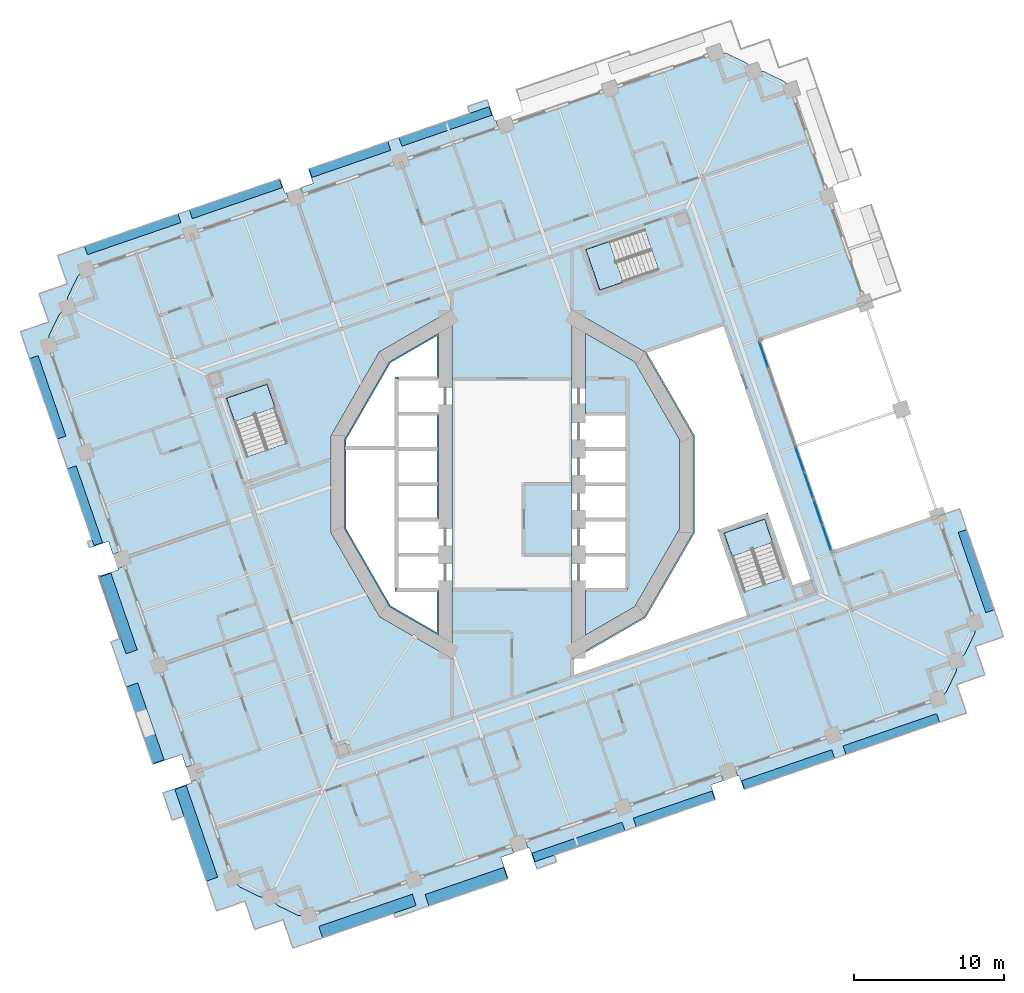
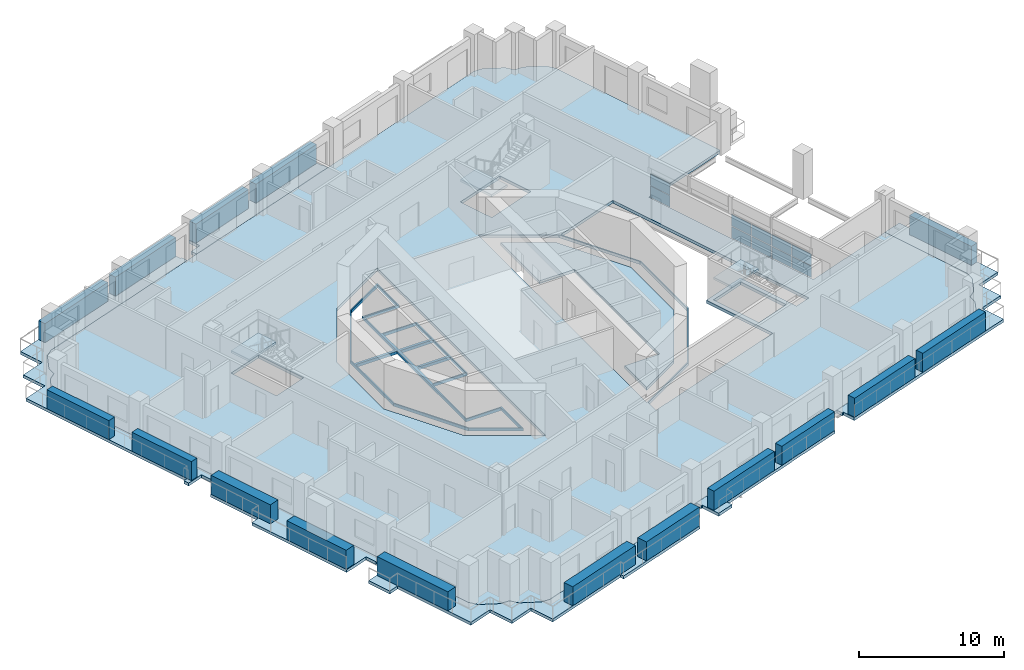
# One storey, part 6 of 21: 26 plates, 12 slabs, 4 elements without a shape of their own.
"""IFC4 building model written with IfcOpenShell, lengths in metres."""

import ifcopenshell
import ifcopenshell.guid

model = None  # the IFC model being written
_history = None  # IfcOwnerHistory: only IFC2X3 demands one
_inside = {}  # id of a spatial element -> (the spatial element, [elements in it])
_under = {}  # id of a project, library or spatial element -> (it, [spatial elements below it])
_declared = {}  # id of a project -> (the project, [libraries it declares])
_typed = {}  # id of a type object -> (the type object, [elements of that type])
_made_of = {}  # id of a material, layer set ... -> (it, [elements and type objects made of it])


def new_model(schema):
    """Start an empty IFC model of exactly this schema.

    Asked for "IFC4X3", IfcOpenShell would pick the latest addendum, in which some entities
    have other attributes; the version numbers below select the first issue.
    IFC2X3 requires an IfcOwnerHistory on every rooted entity: one is made here for all.
    """
    global model, _history
    if schema == "IFC4X3":
        model = ifcopenshell.file(schema_version=(4, 3, 0, 0))
    else:
        model = ifcopenshell.file(schema=schema)
    _inside.clear()
    _under.clear()
    _declared.clear()
    _typed.clear()
    _made_of.clear()
    _history = None
    if model.schema == "IFC2X3":
        org = make("IfcOrganization", Name="unknown")
        user = make(
            "IfcPersonAndOrganization",
            ThePerson=make("IfcPerson", FamilyName="unknown"),
            TheOrganization=org,
        )
        app = make(
            "IfcApplication",
            ApplicationDeveloper=org,
            Version="unknown",
            ApplicationFullName="unknown",
            ApplicationIdentifier="unknown",
        )
        _history = make(
            "IfcOwnerHistory",
            OwningUser=user,
            OwningApplication=app,
            ChangeAction="ADDED",
            CreationDate=0,
        )
    return model


def make(cls, **values):
    """One entity of the class cls with the attributes given. An attribute that is None is left unset."""
    return model.create_entity(
        cls, **{name: value for name, value in values.items() if value is not None}
    )


def rooted(cls, **values):
    """An entity with a GlobalId (a new one), such as an element, a storey or a relation."""
    return make(cls, GlobalId=ifcopenshell.guid.new(), OwnerHistory=_history, **values)


def si_unit(unit_type, name, prefix=None):
    """IfcSIUnit, for example si_unit("LENGTHUNIT", "METRE", prefix="MILLI")."""
    return make("IfcSIUnit", UnitType=unit_type, Prefix=prefix, Name=name)


def assignment(units):
    """IfcUnitAssignment: the units of a project."""
    return None if units is None else make("IfcUnitAssignment", Units=units)


def point(xyz):
    """IfcCartesianPoint."""
    return None if xyz is None else make("IfcCartesianPoint", Coordinates=xyz)


def direction(xyz):
    """IfcDirection."""
    return None if xyz is None else make("IfcDirection", DirectionRatios=xyz)


def frame(location, z_axis=None, x_axis=None):
    """IfcAxis2Placement3D, a coordinate frame: its origin and axes. An axis left out is left unset."""
    return make(
        "IfcAxis2Placement3D",
        Location=point(location),
        Axis=direction(z_axis),
        RefDirection=direction(x_axis),
    )


def frame_2d(location, x_axis=None):
    """IfcAxis2Placement2D, a coordinate frame in the plane: its origin and x axis."""
    return make(
        "IfcAxis2Placement2D", Location=point(location), RefDirection=direction(x_axis)
    )


def origin():
    """The frame at (0, 0, 0) with its axes left unset."""
    return frame((0.0, 0.0, 0.0))


def origin_2d():
    """The frame at (0, 0) in the plane with its x axis left unset."""
    return frame_2d((0.0, 0.0))


def place(relative_to, where):
    """IfcLocalPlacement: puts the frame where relative to a parent placement (None: the world)."""
    return make(
        "IfcLocalPlacement", PlacementRelTo=relative_to, RelativePlacement=where
    )


def context(
    kind, dimensions, precision=None, world=None, true_north=None, identifier=None
):
    """IfcGeometricRepresentationContext, for example the 3D "Model" context."""
    return make(
        "IfcGeometricRepresentationContext",
        ContextIdentifier=identifier,
        ContextType=kind,
        CoordinateSpaceDimension=dimensions,
        Precision=precision,
        WorldCoordinateSystem=world,
        TrueNorth=true_north,
    )


def subcontext(parent, identifier, kind, view, scale=None):
    """IfcGeometricRepresentationSubContext, for example "Body" below "Model"."""
    return make(
        "IfcGeometricRepresentationSubContext",
        ContextIdentifier=identifier,
        ContextType=kind,
        ParentContext=parent,
        TargetScale=scale,
        TargetView=view,
    )


def project(units=None, contexts=None):
    """IfcProject with its units and contexts."""
    return rooted(
        "IfcProject",
        Name="project",
        RepresentationContexts=contexts,
        UnitsInContext=assignment(units),
    )


def spatial(cls, under=None, at=None, **own):
    """A site, building, storey or space (cls), placed at a placement, below another one or the project."""
    s = rooted(cls, ObjectPlacement=at, **own)
    if under is not None:
        _under.setdefault(under.id(), (under, []))[1].append(s)
    return s


def polyline(points):
    """IfcPolyline through the points."""
    return make("IfcPolyline", Points=[point(p) for p in points])


def profile(cls, at=None, kind="AREA", **sizes):
    """A parametric profile (cls). Its sizes go by their IFC names, for example OverallWidth=200.0."""
    return make(cls, ProfileType=kind, Position=at, **sizes)


def rectangle(**sizes):
    """IfcRectangleProfileDef."""
    return profile("IfcRectangleProfileDef", **sizes)


def outline(outer, holes=None, kind="AREA"):
    """IfcArbitraryClosedProfileDef: a profile drawn as a closed curve; with holes, ...WithVoids."""
    if holes is None:
        return make("IfcArbitraryClosedProfileDef", ProfileType=kind, OuterCurve=outer)
    return make(
        "IfcArbitraryProfileDefWithVoids",
        ProfileType=kind,
        OuterCurve=outer,
        InnerCurves=holes,
    )


def extrude(swept, where, along, depth):
    """IfcExtrudedAreaSolid: the profile swept, set in the frame where, extruded along a direction by depth."""
    return make(
        "IfcExtrudedAreaSolid",
        SweptArea=swept,
        Position=where,
        ExtrudedDirection=direction(along),
        Depth=depth,
    )


def shape(context_of_items, identifier, shape_type, items):
    """IfcShapeRepresentation: the items that make up one representation, for example the "Body"."""
    return make(
        "IfcShapeRepresentation",
        ContextOfItems=context_of_items,
        RepresentationIdentifier=identifier,
        RepresentationType=shape_type,
        Items=items,
    )


def material(Name=None, Category=None):
    """IfcMaterial."""
    return make("IfcMaterial", Name=Name, Category=Category)


def layer(
    of_material, thickness, ventilated=None, Name=None, Category=None, Priority=None
):
    """IfcMaterialLayer: one layer of a wall or slab, of a material (None: an air gap)."""
    return make(
        "IfcMaterialLayer",
        Material=of_material,
        LayerThickness=thickness,
        IsVentilated=ventilated,
        Name=Name,
        Category=Category,
        Priority=Priority,
    )


def layer_set(layers, Name=None):
    """IfcMaterialLayerSet."""
    return make("IfcMaterialLayerSet", MaterialLayers=layers, LayerSetName=Name)


def made_of(thing, what):
    """Note that an element or type object is made of a material, layer set ...; save() writes the relation."""
    if what is not None:
        _made_of.setdefault(what.id(), (what, []))[1].append(thing)
    return thing


def type_object(cls, material=None, **own):
    """A type object (cls), such as IfcWallType, which elements share."""
    return made_of(rooted(cls, **own), material)


def element(
    cls,
    number,
    at=None,
    inside=None,
    cuts=None,
    type_object=None,
    material=None,
    context=None,
    identifier="Body",
    shape_type=None,
    held_by="IfcProductDefinitionShape",
    body=None,
    shapes=None,
    **own,
):
    """One element of the class cls, such as IfcWall. Its Tag is "e" and its number.

    at: its placement. inside: the storey or other place that contains it. cuts: it is an
    opening in that element (IfcRelVoidsElement). A single representation is given by context,
    identifier, shape_type and body (its items); several are given by shapes. held_by: the class
    of the entity that holds the representations. save() writes the other relations.
    """
    e = rooted(cls, Tag="e%d" % number, ObjectPlacement=at, **own)
    if body is not None:
        shapes = [shape(context, identifier, shape_type, body)]
    if shapes is not None:
        e.Representation = make(held_by, Representations=shapes)
    if inside is not None:
        _inside.setdefault(inside.id(), (inside, []))[1].append(e)
    if cuts is not None:
        rooted(
            "IfcRelVoidsElement", RelatingBuildingElement=cuts, RelatedOpeningElement=e
        )
    if type_object is not None:
        _typed.setdefault(type_object.id(), (type_object, []))[1].append(e)
    return made_of(e, material)


def aggregate(whole, parts):
    """IfcRelAggregates: a whole, such as a stair, and the parts it consists of."""
    return rooted("IfcRelAggregates", RelatingObject=whole, RelatedObjects=parts)


def save(model, path):
    """Write the relations noted so far, then the file.

    IfcRelAggregates (storeys below a building ...), IfcRelContainedInSpatialStructure (elements
    in a storey), IfcRelDefinesByType, IfcRelAssociatesMaterial and IfcRelDeclares: one each for
    every whole, place, type object, material and project.
    """
    for whole, parts in _under.values():
        aggregate(whole, parts)
    for where, things in _inside.values():
        rooted(
            "IfcRelContainedInSpatialStructure",
            RelatedElements=things,
            RelatingStructure=where,
        )
    for kind, things in _typed.values():
        rooted("IfcRelDefinesByType", RelatedObjects=things, RelatingType=kind)
    for what, things in _made_of.values():
        rooted("IfcRelAssociatesMaterial", RelatedObjects=things, RelatingMaterial=what)
    for by, libraries in _declared.values():
        rooted("IfcRelDeclares", RelatingContext=by, RelatedDefinitions=libraries)
    model.write(path)


model = new_model("IFC4")

# Units and contexts
model_context = context("Model", 3, precision=1e-05, world=origin(), true_north=direction((0.0, 1.0)))
body_context = subcontext(model_context, "Body", "Model", "MODEL_VIEW")
ifc_project = project(units=[si_unit("LENGTHUNIT", "METRE"), si_unit("AREAUNIT", "SQUARE_METRE"), si_unit("VOLUMEUNIT", "CUBIC_METRE"), si_unit("PLANEANGLEUNIT", "RADIAN"), si_unit("MASSUNIT", "GRAM", prefix="KILO")], contexts=[model_context])

# Site, building, storey
site_placement = place(None, origin())
site = spatial("IfcSite", under=ifc_project, at=site_placement, CompositionType="ELEMENT")
building_placement = place(site_placement, origin())
building = spatial("IfcBuilding", under=site, at=building_placement, Name="Cantera Rosa Tower", CompositionType="ELEMENT")
storey_placement = place(building_placement, frame((0.0, 0.0, 119.300048828125)))
storey = spatial("IfcBuildingStorey", under=building, at=storey_placement, Name="L24", CompositionType="ELEMENT", Elevation=119.300048828125)

# Slabs
ifc_material_1 = material(Name="Concrete C35/45", Category="concrete")
ifc_layer_1 = layer(ifc_material_1, 0.25)
ifc_layer_set_1 = layer_set([ifc_layer_1], Name="COMPOSITE FLOOR SLAB 250 C35/45")
slab_type_1 = type_object("IfcSlabType", Name="COMPOSITE FLOOR SLAB 250 C35/45", PredefinedType="FLOOR", material=ifc_layer_set_1)
slab_1_placement = place(storey_placement, frame((0.0, 0.0, -0.25)))
element("IfcSlab", 1, at=slab_1_placement, inside=storey, type_object=slab_type_1, Name="SLAB L24 floor 1", PredefinedType="FLOOR", context=body_context, shape_type="SweptSolid", body=[
    extrude(outline(polyline([(-7.699951171875, -4.699951171875), (-7.699951171875, -7.050048828125), (-4.89990234375, -7.050048828125), (-4.89990234375, -10.07373046875), (-8.179931640625, -8.179931640625), (-11.174072265625, -2.994140625), (-11.174072265625, 2.994140625), (-8.179931640625, 8.179931640625), (-4.89990234375, 10.07373046875), (-4.89990234375, 7.050048828125), (-7.699951171875, 7.050048828125), (-7.699951171875, 4.699951171875), (-4.89990234375, 4.699951171875), (-4.89990234375, -2.35009765625), (-7.699951171875, -2.35009765625), (-7.699951171875, -4.699951171875)]), holes=[polyline([(-5.0, -9.900390625), (-5.0, -7.14990234375), (-7.800048828125, -7.14990234375), (-7.800048828125, -2.449951171875), (-7.800048828125, -2.25), (-7.800048828125, 2.25), (-7.800048828125, 2.317626953125), (-11.07421875, 2.317626953125), (-11.07421875, -2.96728515625), (-8.106689453125, -8.106689453125), (-5.0, -9.900390625)]), polyline([(-7.60009765625, -0.10009765625), (-7.60009765625, -2.25), (-5.0, -2.25), (-5.0, -0.10009765625), (-7.60009765625, -0.10009765625)]), polyline([(-7.60009765625, 0.10009765625), (-5.0, 0.10009765625), (-5.0, 2.25), (-7.60009765625, 2.25), (-7.60009765625, 0.10009765625)]), polyline([(-7.60009765625, 2.449951171875), (-5.0, 2.449951171875), (-5.0, 4.60009765625), (-7.60009765625, 4.60009765625), (-7.60009765625, 2.449951171875)]), polyline([(-11.07421875, 2.517578125), (-7.800048828125, 2.517578125), (-7.800048828125, 7.14990234375), (-5.0, 7.14990234375), (-5.0, 9.900390625), (-8.106689453125, 8.106689453125), (-11.07421875, 2.96728515625), (-11.07421875, 2.517578125)])]), origin(), (0.0, 0.0, 1.0), 0.25),
])
slab_2_placement = place(storey_placement, frame((0.0, 0.0, -0.25)))
element("IfcSlab", 2, at=slab_2_placement, inside=storey, type_object=slab_type_1, Name="SLAB L24 floor 2", PredefinedType="FLOOR", context=body_context, shape_type="SweptSolid", body=[
    extrude(outline(polyline([(-14.334716796875, -28.7451171875), (-15.605712890625, -28.125), (-15.631591796875, -28.111083984375), (-15.65576171875, -28.09423828125), (-15.67822265625, -28.075439453125), (-15.698974609375, -28.05419921875), (-16.109619140625, -27.54541015625), (-16.763671875, -27.534912109375), (-16.79296875, -27.53173828125), (-16.82177734375, -27.525634765625), (-16.849609375, -27.516845703125), (-16.876708984375, -27.505126953125), (-18.14794921875, -26.88525390625), (-18.173583984375, -26.87109375), (-18.197998046875, -26.8544921875), (-18.220458984375, -26.83544921875), (-18.240966796875, -26.814453125), (-18.65185546875, -26.3056640625), (-18.948974609375, -25.443115234375), (-30.893310546875, 9.245849609375), (-30.8828125, 9.899658203125), (-30.87939453125, 9.928955078125), (-30.873291015625, 9.957763671875), (-30.864501953125, 9.98583984375), (-30.852783203125, 10.012939453125), (-30.23291015625, 11.283935546875), (-30.21875, 11.309814453125), (-30.2021484375, 11.333984375), (-30.18310546875, 11.356689453125), (-30.162109375, 11.377197265625), (-29.6533203125, 11.7880859375), (-29.642822265625, 12.44189453125), (-29.6396484375, 12.47119140625), (-29.633544921875, 12.5), (-29.62451171875, 12.528076171875), (-29.613037109375, 12.55517578125), (-28.9931640625, 13.826171875), (-28.97900390625, 13.85205078125), (-28.962158203125, 13.876220703125), (-28.943359375, 13.898681640625), (-28.922119140625, 13.91943359375), (-28.41357421875, 14.330078125), (-27.55078125, 14.627197265625), (13.567626953125, 28.785400390625), (14.221435546875, 28.77490234375), (14.250732421875, 28.771728515625), (14.279541015625, 28.765625), (14.3076171875, 28.756591796875), (14.334716796875, 28.7451171875), (15.605712890625, 28.125), (15.631591796875, 28.111083984375), (15.65576171875, 28.09423828125), (15.67822265625, 28.075439453125), (15.698974609375, 28.05419921875), (16.109619140625, 27.54541015625), (16.763671875, 27.534912109375), (16.79296875, 27.53173828125), (16.82177734375, 27.525634765625), (16.849609375, 27.516845703125), (16.876708984375, 27.505126953125), (18.14794921875, 26.88525390625), (18.173583984375, 26.87109375), (18.197998046875, 26.8544921875), (18.220458984375, 26.83544921875), (18.240966796875, 26.814453125), (18.65185546875, 26.3056640625), (18.948974609375, 25.443115234375), (23.548583984375, 12.0849609375), (16.45703125, 9.643310546875), (21.353515625, -4.577392578125), (28.445068359375, -2.135498046875), (30.893310546875, -9.245849609375), (30.8828125, -9.899658203125), (30.87939453125, -9.928955078125), (30.873291015625, -9.957763671875), (30.864501953125, -9.98583984375), (30.852783203125, -10.012939453125), (30.23291015625, -11.283935546875), (30.21875, -11.309814453125), (30.2021484375, -11.333984375), (30.18310546875, -11.356689453125), (30.162109375, -11.377197265625), (29.6533203125, -11.7880859375), (29.642822265625, -12.44189453125), (29.6396484375, -12.47119140625), (29.633544921875, -12.5), (29.62451171875, -12.528076171875), (29.613037109375, -12.55517578125), (28.9931640625, -13.826171875), (28.97900390625, -13.85205078125), (28.962158203125, -13.876220703125), (28.943359375, -13.898681640625), (28.922119140625, -13.91943359375), (28.41357421875, -14.330078125), (27.55078125, -14.627197265625), (-13.567626953125, -28.785400390625), (-14.221435546875, -28.77490234375), (-14.250732421875, -28.771728515625), (-14.279541015625, -28.765625), (-14.3076171875, -28.756591796875), (-14.334716796875, -28.7451171875)]), holes=[polyline([(-4.0, 11.632568359375), (-8.8388671875, 8.8388671875), (-12.07421875, 3.235107421875), (-12.07421875, -3.235107421875), (-8.8388671875, -8.8388671875), (-4.0, -11.632568359375), (-4.0, 11.632568359375)]), polyline([(-15.000732421875, 2.751708984375), (-16.347900390625, 6.6640625), (-19.042724609375, 5.736083984375), (-17.695556640625, 1.82373046875), (-15.000732421875, 2.751708984375)]), polyline([(18.19921875, -6.248291015625), (16.85205078125, -2.3359375), (14.1572265625, -3.263916015625), (15.50439453125, -7.17626953125), (18.19921875, -6.248291015625)]), polyline([(15.68359375, -8.771728515625), (13.71240234375, -3.046875), (17.069091796875, -1.89111328125), (18.747314453125, -6.764892578125), (19.954345703125, -6.349365234375), (14.126708984375, 10.5751953125), (8.9755859375, 8.8017578125), (12.174072265625, 3.261962890625), (12.174072265625, -3.261962890625), (8.912109375, -8.912109375), (4.10009765625, -11.690185546875), (4.10009765625, -12.760498046875), (15.68359375, -8.771728515625)]), polyline([(8.8388671875, -8.8388671875), (12.07421875, -3.235107421875), (12.07421875, 3.235107421875), (8.8388671875, 8.8388671875), (4.0, 11.632568359375), (4.0, -11.632568359375), (8.8388671875, -8.8388671875)]), polyline([(9.7763671875, 14.304443359375), (8.848388671875, 16.999267578125), (4.935791015625, 15.652099609375), (5.86376953125, 12.957275390625), (9.7763671875, 14.304443359375)])]), origin(), (0.0, 0.0, 1.0), 0.25),
])
slab_3_placement = place(storey_placement, frame((0.0, 0.0, -0.25)))
element("IfcSlab", 3, at=slab_3_placement, inside=storey, type_object=slab_type_1, Name="SLAB L24 floor 3", PredefinedType="FLOOR", context=body_context, shape_type="SweptSolid", body=[
    extrude(outline(polyline([(7.699951171875, 0.0), (7.699951171875, 2.35009765625), (7.699951171875, 4.699951171875), (4.89990234375, 4.699951171875), (4.89990234375, 10.07373046875), (8.179931640625, 8.179931640625), (11.174072265625, 2.994140625), (11.174072265625, -2.994140625), (8.179931640625, -8.179931640625), (4.89990234375, -10.07373046875), (4.89990234375, -7.050048828125), (7.699951171875, -7.050048828125), (7.699951171875, -4.699951171875), (7.699951171875, -2.35009765625), (7.699951171875, 0.0)])), origin(), (0.0, 0.0, 1.0), 0.25),
])

# Curtain wall, plates
ifc_material_2 = material(Name="Aluminium frame with clear glass", Category="aluminium")
curtain_wall_type = type_object("IfcCurtainWallType", Name="CW1 TERRACE POCKET GLAZING", PredefinedType="NOTDEFINED", material=ifc_material_2)
curtain_wall_placement = place(storey_placement, origin())
curtain_wall = element("IfcCurtainWall", 4, at=curtain_wall_placement, inside=storey, type_object=curtain_wall_type, Name="CW1 CW1", PredefinedType="NOTDEFINED")
ifc_material_3 = material(Name="Aluminium frame with clear glass", Category="aluminium")
ifc_layer_2 = layer(ifc_material_3, 0.028076171875)
ifc_layer_set_2 = layer_set([ifc_layer_2], Name="CW-PANEL POCKET")
plate_type_1 = type_object("IfcPlateType", Name="CW-PANEL POCKET", PredefinedType="CURTAIN_PANEL", material=ifc_layer_set_2)
plate_1_placement = place(storey_placement, frame((21.007080078125, -3.571044921875, 0.06005859375), z_axis=(0.0, 0.0, 1.0), x_axis=(-0.32556815449, 0.945518575588, 0.0)))
plate_1 = element("IfcPlate", 5, at=plate_1_placement, type_object=plate_type_1, Name="CW1 panel 1.1", PredefinedType="CURTAIN_PANEL", context=body_context, shape_type="SweptSolid", body=[
    extrude(rectangle(XDim=1.7587890625, YDim=0.028076171875, at=origin_2d()), origin(), (0.0, 0.0, 1.0), 0.9619140625),
])
plate_2_placement = place(storey_placement, frame((21.007080078125, -3.571044921875, 1.08203125), z_axis=(0.0, 0.0, 1.0), x_axis=(-0.32556815449, 0.945518575588, 0.0)))
plate_2 = element("IfcPlate", 6, at=plate_2_placement, type_object=plate_type_1, Name="CW1 panel 1.2", PredefinedType="CURTAIN_PANEL", context=body_context, shape_type="SweptSolid", body=[
    extrude(rectangle(XDim=1.7587890625, YDim=0.028076171875, at=origin_2d()), origin(), (0.0, 0.0, 1.0), 0.9619140625),
])
plate_3_placement = place(storey_placement, frame((20.41015625, -1.837158203125, 0.06005859375), z_axis=(0.0, 0.0, 1.0), x_axis=(-0.32556815449, 0.945518575588, 0.0)))
plate_3 = element("IfcPlate", 7, at=plate_3_placement, type_object=plate_type_1, Name="CW1 panel 2.1", PredefinedType="CURTAIN_PANEL", context=body_context, shape_type="SweptSolid", body=[
    extrude(rectangle(XDim=1.788818359375, YDim=0.028076171875, at=origin_2d()), origin(), (0.0, 0.0, 1.0), 0.9619140625),
])
plate_4_placement = place(storey_placement, frame((20.41015625, -1.837158203125, 1.08203125), z_axis=(0.0, 0.0, 1.0), x_axis=(-0.32556815449, 0.945518575588, 0.0)))
plate_4 = element("IfcPlate", 8, at=plate_4_placement, type_object=plate_type_1, Name="CW1 panel 2.2", PredefinedType="CURTAIN_PANEL", context=body_context, shape_type="SweptSolid", body=[
    extrude(rectangle(XDim=1.788818359375, YDim=0.028076171875, at=origin_2d()), origin(), (0.0, 0.0, 1.0), 0.9619140625),
])
plate_5_placement = place(storey_placement, frame((19.80810546875, -0.089111328125, 0.06005859375), z_axis=(0.0, 0.0, 1.0), x_axis=(-0.32556815449, 0.945518575588, 0.0)))
plate_5 = element("IfcPlate", 9, at=plate_5_placement, type_object=plate_type_1, Name="CW1 panel 3.1", PredefinedType="CURTAIN_PANEL", context=body_context, shape_type="SweptSolid", body=[
    extrude(rectangle(XDim=1.788818359375, YDim=0.028076171875, at=origin_2d()), origin(), (0.0, 0.0, 1.0), 0.9619140625),
])
plate_6_placement = place(storey_placement, frame((19.80810546875, -0.089111328125, 1.08203125), z_axis=(0.0, 0.0, 1.0), x_axis=(-0.32556815449, 0.945518575588, 0.0)))
plate_6 = element("IfcPlate", 10, at=plate_6_placement, type_object=plate_type_1, Name="CW1 panel 3.2", PredefinedType="CURTAIN_PANEL", context=body_context, shape_type="SweptSolid", body=[
    extrude(rectangle(XDim=1.788818359375, YDim=0.028076171875, at=origin_2d()), origin(), (0.0, 0.0, 1.0), 0.9619140625),
])
plate_7_placement = place(storey_placement, frame((19.206298828125, 1.658935546875, 0.06005859375), z_axis=(0.0, 0.0, 1.0), x_axis=(-0.32556815449, 0.945518575588, 0.0)))
plate_7 = element("IfcPlate", 11, at=plate_7_placement, type_object=plate_type_1, Name="CW1 panel 4.1", PredefinedType="CURTAIN_PANEL", context=body_context, shape_type="SweptSolid", body=[
    extrude(rectangle(XDim=1.788818359375, YDim=0.028076171875, at=origin_2d()), origin(), (0.0, 0.0, 1.0), 0.9619140625),
])
plate_8_placement = place(storey_placement, frame((19.206298828125, 1.658935546875, 1.08203125), z_axis=(0.0, 0.0, 1.0), x_axis=(-0.32556815449, 0.945518575588, 0.0)))
plate_8 = element("IfcPlate", 12, at=plate_8_placement, type_object=plate_type_1, Name="CW1 panel 4.2", PredefinedType="CURTAIN_PANEL", context=body_context, shape_type="SweptSolid", body=[
    extrude(rectangle(XDim=1.788818359375, YDim=0.028076171875, at=origin_2d()), origin(), (0.0, 0.0, 1.0), 0.9619140625),
])
plate_9_placement = place(storey_placement, frame((16.803466796875, 8.636962890625, 0.06005859375), z_axis=(0.0, 0.0, 1.0), x_axis=(-0.32556815449, 0.945518575588, 0.0)))
plate_9 = element("IfcPlate", 13, at=plate_9_placement, type_object=plate_type_1, Name="CW1 panel 8.1", PredefinedType="CURTAIN_PANEL", context=body_context, shape_type="SweptSolid", body=[
    extrude(rectangle(XDim=1.7587890625, YDim=0.028076171875, at=origin_2d()), origin(), (0.0, 0.0, 1.0), 0.9619140625),
])
plate_10_placement = place(storey_placement, frame((16.803466796875, 8.636962890625, 1.08203125), z_axis=(0.0, 0.0, 1.0), x_axis=(-0.32556815449, 0.945518575588, 0.0)))
plate_10 = element("IfcPlate", 14, at=plate_10_placement, type_object=plate_type_1, Name="CW1 panel 8.2", PredefinedType="CURTAIN_PANEL", context=body_context, shape_type="SweptSolid", body=[
    extrude(rectangle(XDim=1.7587890625, YDim=0.028076171875, at=origin_2d()), origin(), (0.0, 0.0, 1.0), 0.9619140625),
])
aggregate(curtain_wall, [plate_1, plate_2, plate_3, plate_4, plate_5, plate_6, plate_7, plate_8, plate_9, plate_10])

# Slabs
ifc_material_4 = material(Name="Concrete C35/45", Category="concrete")
ifc_layer_3 = layer(ifc_material_4, 0.25)
ifc_layer_set_3 = layer_set([ifc_layer_3], Name="LOGGIA SLAB 250 C35/45")
slab_type_2 = type_object("IfcSlabType", Name="LOGGIA SLAB 250 C35/45", PredefinedType="FLOOR", material=ifc_layer_set_3)
slab_4_placement = place(storey_placement, frame((0.0, 0.0, -0.25)))
element("IfcSlab", 15, at=slab_4_placement, inside=storey, type_object=slab_type_2, Name="LOGGIA SLAB L24 1", PredefinedType="FLOOR", context=body_context, shape_type="SweptSolid", body=[
    extrude(outline(polyline([(-29.375, 0.22900390625), (-30.3515625, 3.0654296875), (-32.3115234375, 8.757568359375), (-32.7998046875, 10.17578125), (-31.381591796875, 10.6640625), (-30.908935546875, 10.826904296875), (-31.071533203125, 11.2998046875), (-31.56005859375, 12.718017578125), (-30.1416015625, 13.206298828125), (-29.6689453125, 13.369140625), (-29.831787109375, 13.841796875), (-30.320068359375, 15.260009765625), (-28.90185546875, 15.74853515625), (-23.3232421875, 17.669189453125), (-20.48681640625, 18.64599609375), (-16.326416015625, 20.07861328125), (-15.4755859375, 20.37158203125), (-15.14990234375, 19.426025390625), (-15.055419921875, 19.45849609375), (-14.892578125, 18.98583984375), (-27.55078125, 14.627197265625), (-28.41357421875, 14.330078125), (-28.922119140625, 13.91943359375), (-28.943359375, 13.898681640625), (-28.962158203125, 13.876220703125), (-28.97900390625, 13.85205078125), (-28.9931640625, 13.826171875), (-29.613037109375, 12.55517578125), (-29.62451171875, 12.528076171875), (-29.633544921875, 12.5), (-29.6396484375, 12.47119140625), (-29.642822265625, 12.44189453125), (-29.6533203125, 11.7880859375), (-30.162109375, 11.377197265625), (-30.18310546875, 11.356689453125), (-30.2021484375, 11.333984375), (-30.21875, 11.309814453125), (-30.23291015625, 11.283935546875), (-30.852783203125, 10.012939453125), (-30.864501953125, 9.98583984375), (-30.873291015625, 9.957763671875), (-30.87939453125, 9.928955078125), (-30.8828125, 9.899658203125), (-30.893310546875, 9.245849609375), (-26.159423828125, -4.501953125), (-26.63232421875, -4.664794921875), (-26.92529296875, -3.813720703125), (-28.18896484375, -4.248779296875), (-28.3310546875, -3.836181640625), (-28.012939453125, -3.7265625), (-29.375, 0.22900390625)])), origin(), (0.0, 0.0, 1.0), 0.25),
])
slab_5_placement = place(storey_placement, frame((0.0, 0.0, -0.25)))
element("IfcSlab", 16, at=slab_5_placement, inside=storey, type_object=slab_type_2, Name="LOGGIA SLAB L24 2", PredefinedType="FLOOR", context=body_context, shape_type="SweptSolid", body=[
    extrude(outline(polyline([(-27.537841796875, -6.139892578125), (-26.274169921875, -5.704833984375), (-26.306640625, -5.6103515625), (-25.833984375, -5.447509765625), (-21.262939453125, -18.72265625), (-21.735595703125, -18.885498046875), (-22.02880859375, -18.034423828125), (-23.9521484375, -18.69677734375), (-26.769775390625, -10.513916015625), (-26.110107421875, -10.28662109375), (-27.537841796875, -6.139892578125)])), origin(), (0.0, 0.0, 1.0), 0.25),
])
slab_6_placement = place(storey_placement, frame((0.0, 0.0, -0.25)))
element("IfcSlab", 17, at=slab_6_placement, inside=storey, type_object=slab_type_2, Name="LOGGIA SLAB L24 3", PredefinedType="FLOOR", context=body_context, shape_type="SweptSolid", body=[
    extrude(outline(polyline([(-13.01416015625, -30.392822265625), (-14.62158203125, -30.9462890625), (-15.1748046875, -29.3388671875), (-15.272705078125, -29.05517578125), (-15.556396484375, -29.15283203125), (-17.16357421875, -29.706298828125), (-17.717041015625, -28.09912109375), (-17.814697265625, -27.815185546875), (-18.098388671875, -27.9130859375), (-19.705810546875, -28.466552734375), (-20.25927734375, -26.859130859375), (-21.882568359375, -22.14501953125), (-22.67138671875, -22.41650390625), (-23.301025390625, -20.587646484375), (-21.377685546875, -19.92529296875), (-21.41015625, -19.830810546875), (-20.9375, -19.668212890625), (-18.948974609375, -25.443115234375), (-18.65185546875, -26.3056640625), (-18.240966796875, -26.814453125), (-18.220458984375, -26.83544921875), (-18.197998046875, -26.8544921875), (-18.173583984375, -26.87109375), (-18.14794921875, -26.88525390625), (-16.876708984375, -27.505126953125), (-16.849609375, -27.516845703125), (-16.82177734375, -27.525634765625), (-16.79296875, -27.53173828125), (-16.763671875, -27.534912109375), (-16.109619140625, -27.54541015625), (-15.698974609375, -28.05419921875), (-15.67822265625, -28.075439453125), (-15.65576171875, -28.09423828125), (-15.631591796875, -28.111083984375), (-15.605712890625, -28.125), (-14.334716796875, -28.7451171875), (-14.3076171875, -28.756591796875), (-14.279541015625, -28.765625), (-14.250732421875, -28.771728515625), (-14.221435546875, -28.77490234375), (-13.567626953125, -28.785400390625), (-0.046630859375, -24.1298828125), (0.1162109375, -24.6025390625), (-0.73486328125, -24.8955078125), (-0.24658203125, -26.31298828125), (-7.81005859375, -28.91748046875), (-7.907470703125, -28.634521484375), (-13.01416015625, -30.392822265625)])), origin(), (0.0, 0.0, 1.0), 0.25),
])
slab_7_placement = place(storey_placement, frame((0.0, 0.0, -0.25)))
element("IfcSlab", 18, at=slab_7_placement, inside=storey, type_object=slab_type_2, Name="LOGGIA SLAB L24 4", PredefinedType="FLOOR", context=body_context, shape_type="SweptSolid", body=[
    extrude(outline(polyline([(-9.348388671875, 22.496826171875), (-2.8095703125, 24.748291015625), (-2.96728515625, 25.206298828125), (-1.644287109375, 25.661865234375), (-1.15625, 24.244384765625), (-1.061767578125, 24.277099609375), (-0.89892578125, 23.80419921875), (-13.947021484375, 19.311279296875), (-14.10986328125, 19.7841796875), (-13.2587890625, 20.0771484375), (-13.58447265625, 21.022705078125), (-13.489990234375, 21.05517578125), (-9.343505859375, 22.48291015625), (-9.348388671875, 22.496826171875)])), origin(), (0.0, 0.0, 1.0), 0.25),
])
slab_8_placement = place(storey_placement, frame((0.0, 0.0, -0.25)))
element("IfcSlab", 19, at=slab_8_placement, inside=storey, type_object=slab_type_2, Name="LOGGIA SLAB L24 5", PredefinedType="FLOOR", context=body_context, shape_type="SweptSolid", body=[
    extrude(outline(polyline([(1.061767578125, -24.277099609375), (0.89892578125, -23.80419921875), (13.947021484375, -19.311279296875), (14.10986328125, -19.7841796875), (13.2587890625, -20.0771484375), (13.58447265625, -21.022705078125), (13.489990234375, -21.05517578125), (9.343505859375, -22.48291015625), (9.348388671875, -22.496826171875), (2.8095703125, -24.748291015625), (2.96728515625, -25.206298828125), (1.644287109375, -25.661865234375), (1.15625, -24.244384765625), (1.061767578125, -24.277099609375)])), origin(), (0.0, 0.0, 1.0), 0.25),
])
slab_9_placement = place(storey_placement, frame((0.0, 0.0, -0.25)))
element("IfcSlab", 20, at=slab_9_placement, inside=storey, type_object=slab_type_2, Name="LOGGIA SLAB L24 8", PredefinedType="FLOOR", context=body_context, shape_type="SweptSolid", body=[
    extrude(outline(polyline([(32.3115234375, -8.757568359375), (32.7998046875, -10.17578125), (31.381591796875, -10.6640625), (30.908935546875, -10.826904296875), (31.071533203125, -11.2998046875), (31.56005859375, -12.718017578125), (30.1416015625, -13.206298828125), (29.6689453125, -13.369140625), (29.831787109375, -13.841796875), (30.320068359375, -15.260009765625), (28.90185546875, -15.74853515625), (23.3232421875, -17.669189453125), (20.48681640625, -18.64599609375), (16.326416015625, -20.07861328125), (15.4755859375, -20.37158203125), (15.14990234375, -19.426025390625), (15.055419921875, -19.45849609375), (14.892578125, -18.98583984375), (27.55078125, -14.627197265625), (28.41357421875, -14.330078125), (28.922119140625, -13.91943359375), (28.943359375, -13.898681640625), (28.962158203125, -13.876220703125), (28.97900390625, -13.85205078125), (28.9931640625, -13.826171875), (29.613037109375, -12.55517578125), (29.62451171875, -12.528076171875), (29.633544921875, -12.5), (29.6396484375, -12.47119140625), (29.642822265625, -12.44189453125), (29.6533203125, -11.7880859375), (30.162109375, -11.377197265625), (30.18310546875, -11.356689453125), (30.2021484375, -11.333984375), (30.21875, -11.309814453125), (30.23291015625, -11.283935546875), (30.852783203125, -10.012939453125), (30.864501953125, -9.98583984375), (30.873291015625, -9.957763671875), (30.87939453125, -9.928955078125), (30.8828125, -9.899658203125), (30.893310546875, -9.245849609375), (28.445068359375, -2.135498046875), (29.86328125, -1.647216796875), (30.3515625, -3.0654296875), (32.3115234375, -8.757568359375)])), origin(), (0.0, 0.0, 1.0), 0.25),
])

# Plates
ifc_material_5 = material(Name="Cantera stone planter with soil", Category="masonry")
plate_type_2 = type_object("IfcPlateType", Name="PLANTER 600", PredefinedType="USERDEFINED", material=ifc_material_5)
plate_11_placement = place(storey_placement, frame((30.974609375, -5.79638671875, 0.0), z_axis=(0.0, 0.0, 1.0), x_axis=(-0.325568154457, 0.945518575599, 0.0)))
element("IfcPlate", 21, at=plate_11_placement, inside=storey, type_object=plate_type_2, Name="PLANTER L24-01", ObjectType="PLANTER", PredefinedType="USERDEFINED", context=body_context, shape_type="SweptSolid", body=[
    extrude(rectangle(XDim=5.669921875, YDim=0.60009765625, at=origin_2d()), origin(), (0.0, 0.0, 1.0), 1.60009765625),
])
plate_12_placement = place(storey_placement, frame((-4.438232421875, 23.870361328125, 0.0), z_axis=(0.0, 0.0, 1.0), x_axis=(-0.945518575599, -0.325568154457, 0.0)))
element("IfcPlate", 22, at=plate_12_placement, inside=storey, type_object=plate_type_2, Name="PLANTER L24-08", ObjectType="PLANTER", PredefinedType="USERDEFINED", context=body_context, shape_type="SweptSolid", body=[
    extrude(rectangle(XDim=6.35009765625, YDim=0.60009765625, at=origin_2d()), origin(), (0.0, 0.0, 1.0), 1.60009765625),
])
plate_13_placement = place(storey_placement, frame((-10.815673828125, 21.65869140625, 0.0), z_axis=(0.0, 0.0, 1.0), x_axis=(-0.945518575599, -0.325568154457, 0.0)))
element("IfcPlate", 23, at=plate_13_placement, inside=storey, type_object=plate_type_2, Name="PLANTER L24-09", ObjectType="PLANTER", PredefinedType="USERDEFINED", context=body_context, shape_type="SweptSolid", body=[
    extrude(rectangle(XDim=5.550048828125, YDim=0.60009765625, at=origin_2d()), origin(), (0.0, 0.0, 1.0), 1.60009765625),
])
plate_14_placement = place(storey_placement, frame((-18.427001953125, 19.037841796875, 0.0), z_axis=(0.0, 0.0, 1.0), x_axis=(-0.945518575599, -0.325568154457, 0.0)))
element("IfcPlate", 24, at=plate_14_placement, inside=storey, type_object=plate_type_2, Name="PLANTER L24-10", ObjectType="PLANTER", PredefinedType="USERDEFINED", context=body_context, shape_type="SweptSolid", body=[
    extrude(rectangle(XDim=6.35009765625, YDim=0.60009765625, at=origin_2d()), origin(), (0.0, 0.0, 1.0), 1.60009765625),
])
plate_15_placement = place(storey_placement, frame((-25.3056640625, 16.66943359375, 0.0), z_axis=(0.0, 0.0, 1.0), x_axis=(-0.945518575599, -0.325568154457, 0.0)))
element("IfcPlate", 25, at=plate_15_placement, inside=storey, type_object=plate_type_2, Name="PLANTER L24-11", ObjectType="PLANTER", PredefinedType="USERDEFINED", context=body_context, shape_type="SweptSolid", body=[
    extrude(rectangle(XDim=6.60009765625, YDim=0.60009765625, at=origin_2d()), origin(), (0.0, 0.0, 1.0), 1.60009765625),
])
plate_16_placement = place(storey_placement, frame((-30.974609375, 5.79638671875, 0.0), z_axis=(0.0, 0.0, 1.0), x_axis=(0.325568154457, -0.945518575599, 0.0)))
element("IfcPlate", 26, at=plate_16_placement, inside=storey, type_object=plate_type_2, Name="PLANTER L24-12", ObjectType="PLANTER", PredefinedType="USERDEFINED", context=body_context, shape_type="SweptSolid", body=[
    extrude(rectangle(XDim=5.669921875, YDim=0.60009765625, at=origin_2d()), origin(), (0.0, 0.0, 1.0), 1.60009765625),
])
plate_17_placement = place(storey_placement, frame((-28.485595703125, -1.43212890625, 0.0), z_axis=(0.0, 0.0, 1.0), x_axis=(0.325568154457, -0.945518575599, 0.0)))
element("IfcPlate", 27, at=plate_17_placement, inside=storey, type_object=plate_type_2, Name="PLANTER L24-13", ObjectType="PLANTER", PredefinedType="USERDEFINED", context=body_context, shape_type="SweptSolid", body=[
    extrude(rectangle(XDim=5.419921875, YDim=0.60009765625, at=origin_2d()), origin(), (0.0, 0.0, 1.0), 1.60009765625),
])
plate_18_placement = place(storey_placement, frame((4.438232421875, -23.870361328125, 0.0), z_axis=(0.0, 0.0, 1.0), x_axis=(0.945518575599, 0.325568154457, 0.0)))
element("IfcPlate", 28, at=plate_18_placement, inside=storey, type_object=plate_type_2, Name="PLANTER L24-19", ObjectType="PLANTER", PredefinedType="USERDEFINED", context=body_context, shape_type="SweptSolid", body=[
    extrude(rectangle(XDim=6.35009765625, YDim=0.60009765625, at=origin_2d()), origin(), (0.0, 0.0, 1.0), 1.60009765625),
])
plate_19_placement = place(storey_placement, frame((10.815673828125, -21.65869140625, 0.0), z_axis=(0.0, 0.0, 1.0), x_axis=(0.945518575599, 0.325568154457, 0.0)))
element("IfcPlate", 29, at=plate_19_placement, inside=storey, type_object=plate_type_2, Name="PLANTER L24-20", ObjectType="PLANTER", PredefinedType="USERDEFINED", context=body_context, shape_type="SweptSolid", body=[
    extrude(rectangle(XDim=5.550048828125, YDim=0.60009765625, at=origin_2d()), origin(), (0.0, 0.0, 1.0), 1.60009765625),
])
plate_20_placement = place(storey_placement, frame((18.427001953125, -19.037841796875, 0.0), z_axis=(0.0, 0.0, 1.0), x_axis=(0.945518575599, 0.325568154457, 0.0)))
element("IfcPlate", 30, at=plate_20_placement, inside=storey, type_object=plate_type_2, Name="PLANTER L24-21", ObjectType="PLANTER", PredefinedType="USERDEFINED", context=body_context, shape_type="SweptSolid", body=[
    extrude(rectangle(XDim=6.35009765625, YDim=0.60009765625, at=origin_2d()), origin(), (0.0, 0.0, 1.0), 1.60009765625),
])
plate_21_placement = place(storey_placement, frame((25.3056640625, -16.66943359375, 0.0), z_axis=(0.0, 0.0, 1.0), x_axis=(0.945518575599, 0.325568154457, 0.0)))
element("IfcPlate", 31, at=plate_21_placement, inside=storey, type_object=plate_type_2, Name="PLANTER L24-22", ObjectType="PLANTER", PredefinedType="USERDEFINED", context=body_context, shape_type="SweptSolid", body=[
    extrude(rectangle(XDim=6.60009765625, YDim=0.60009765625, at=origin_2d()), origin(), (0.0, 0.0, 1.0), 1.60009765625),
])
ifc_material_6 = material(Name="Cantera stone planter with soil", Category="masonry")
plate_type_3 = type_object("IfcPlateType", Name="PLANTER 800", PredefinedType="USERDEFINED", material=ifc_material_6)
for number, where, z_axis, x_axis, name in (
    (32, (-26.260986328125, -8.619384765625, 0.0), (0.0, 0.0, 1.0), (0.325568154457, -0.945518575599, 0.0), "PLANTER L24-14"),
    (33, (-24.47265625, -15.956787109375, 0.0), (0.0, 0.0, 1.0), (0.325568154457, -0.945518575599, 0.0), "PLANTER L24-15"),
):
    element("IfcPlate", number, at=place(storey_placement, frame(where, z_axis=z_axis, x_axis=x_axis)), inside=storey, type_object=plate_type_3, Name=name, ObjectType="PLANTER", PredefinedType="USERDEFINED", context=body_context, shape_type="SweptSolid", body=[
        extrude(rectangle(XDim=5.419921875, YDim=0.800048828125, at=origin_2d()), origin(), (0.0, 0.0, 1.0), 1.60009765625),
    ])
plate_22_placement = place(storey_placement, frame((-21.064453125, -23.2919921875, 0.0), z_axis=(0.0, 0.0, 1.0), x_axis=(0.325568154457, -0.945518575599, 0.0)))
element("IfcPlate", 34, at=plate_22_placement, inside=storey, type_object=plate_type_3, Name="PLANTER L24-16", ObjectType="PLANTER", PredefinedType="USERDEFINED", context=body_context, shape_type="SweptSolid", body=[
    extrude(rectangle(XDim=6.469970703125, YDim=0.800048828125, at=origin_2d()), origin(), (0.0, 0.0, 1.0), 1.60009765625),
])
plate_23_placement = place(storey_placement, frame((-9.64599609375, -28.81005859375, 0.0), z_axis=(0.0, 0.0, 1.0), x_axis=(0.945518575599, 0.325568154457, 0.0)))
element("IfcPlate", 35, at=plate_23_placement, inside=storey, type_object=plate_type_3, Name="PLANTER L24-17", ObjectType="PLANTER", PredefinedType="USERDEFINED", context=body_context, shape_type="SweptSolid", body=[
    extrude(rectangle(XDim=6.60009765625, YDim=0.800048828125, at=origin_2d()), origin(), (0.0, 0.0, 1.0), 1.60009765625),
])
plate_24_placement = place(storey_placement, frame((-3.048095703125, -26.8544921875, 0.0), z_axis=(0.0, 0.0, 1.0), x_axis=(0.945518575599, 0.325568154457, 0.0)))
element("IfcPlate", 36, at=plate_24_placement, inside=storey, type_object=plate_type_3, Name="PLANTER L24-18", ObjectType="PLANTER", PredefinedType="USERDEFINED", context=body_context, shape_type="SweptSolid", body=[
    extrude(rectangle(XDim=5.550048828125, YDim=0.800048828125, at=origin_2d()), origin(), (0.0, 0.0, 1.0), 1.60009765625),
])

# Stair, slab
ifc_material_7 = material(Name="Concrete C35/45", Category="concrete")
stair_type = type_object("IfcStairType", Name="EXIT STAIR 1350 DOGLEG", PredefinedType="HALF_TURN_STAIR", material=ifc_material_7)
stair_1_placement = place(storey_placement, origin())
stair_1 = element("IfcStair", 37, at=stair_1_placement, inside=storey, type_object=stair_type, Name="L24 ST-21", PredefinedType="HALF_TURN_STAIR")
ifc_material_8 = material(Name="Concrete C35/45", Category="concrete")
ifc_layer_4 = layer(ifc_material_8, 0.199951171875)
ifc_layer_set_4 = layer_set([ifc_layer_4], Name="STAIR LANDING 200")
slab_type_3 = type_object("IfcSlabType", Name="STAIR LANDING 200", PredefinedType="LANDING", material=ifc_layer_set_4)
slab_10_placement = place(storey_placement, frame((0.0, 0.0, 1.699951171875)))
slab_10 = element("IfcSlab", 38, at=slab_10_placement, type_object=slab_type_3, Name="ST-21 landing 1", PredefinedType="LANDING", context=body_context, shape_type="SweptSolid", body=[
    extrude(outline(polyline([(6.488525390625, 16.1865234375), (4.935791015625, 15.652099609375), (5.86376953125, 12.957275390625), (7.416259765625, 13.491943359375), (6.488525390625, 16.1865234375)])), origin(), (0.0, 0.0, 1.0), 0.199951171875),
])
aggregate(stair_1, [slab_10])

stair_2_placement = place(storey_placement, origin())
stair_2 = element("IfcStair", 39, at=stair_2_placement, inside=storey, type_object=stair_type, Name="L24 ST-22", PredefinedType="HALF_TURN_STAIR")
slab_11_placement = place(storey_placement, frame((0.0, 0.0, 1.699951171875)))
slab_11 = element("IfcSlab", 40, at=slab_11_placement, type_object=slab_type_3, Name="ST-22 landing 1", PredefinedType="LANDING", context=body_context, shape_type="SweptSolid", body=[
    extrude(outline(polyline([(-15.8134765625, 5.111572265625), (-16.347900390625, 6.6640625), (-19.042724609375, 5.736328125), (-18.508056640625, 4.18359375), (-15.8134765625, 5.111572265625)])), origin(), (0.0, 0.0, 1.0), 0.199951171875),
])
aggregate(stair_2, [slab_11])

stair_3_placement = place(storey_placement, origin())
stair_3 = element("IfcStair", 41, at=stair_3_placement, inside=storey, type_object=stair_type, Name="L24 ST-23", PredefinedType="HALF_TURN_STAIR")
slab_12_placement = place(storey_placement, frame((0.0, 0.0, 1.699951171875)))
slab_12 = element("IfcSlab", 42, at=slab_12_placement, type_object=slab_type_3, Name="ST-23 landing 1", PredefinedType="LANDING", context=body_context, shape_type="SweptSolid", body=[
    extrude(outline(polyline([(17.38671875, -3.888427734375), (16.85205078125, -2.3359375), (14.1572265625, -3.263671875), (14.69189453125, -4.81640625), (17.38671875, -3.888427734375)])), origin(), (0.0, 0.0, 1.0), 0.199951171875),
])
aggregate(stair_3, [slab_12])

save(model, "model.ifc")
